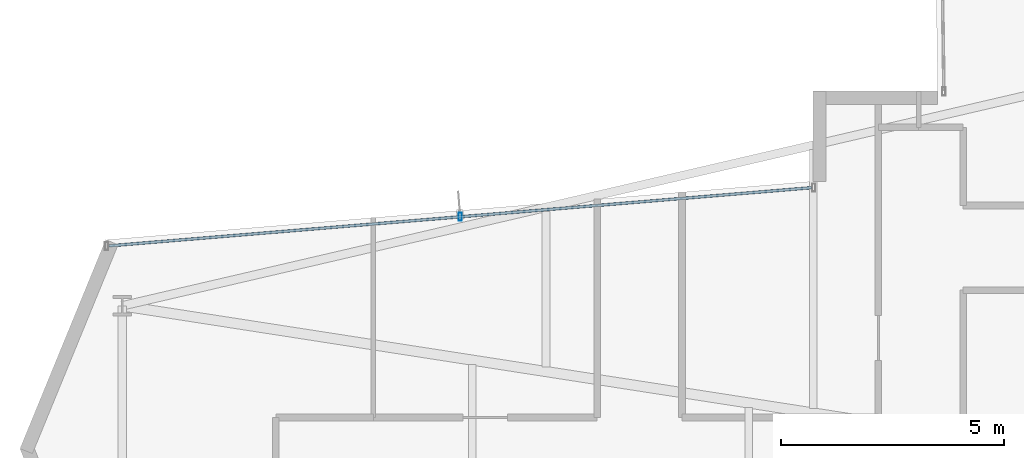
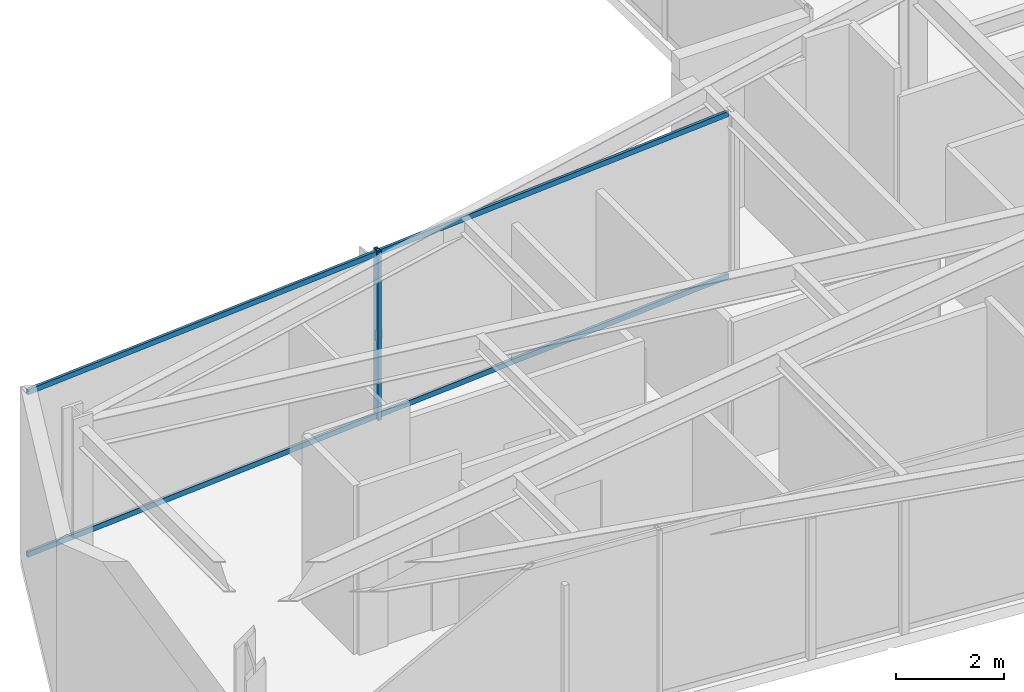
# One storey, part 8 of 25: 3 members, 1 element without a shape of its own.
"""IFC4 building model written with IfcOpenShell, lengths in metres."""

from ifc_helpers import new_model, si_unit, direction, frame, origin, origin_2d, place, context, subcontext, project, spatial, hollow_rectangle, extrude, material, layer, layer_set, material_profile, profile_set, type_object, element, aggregate, save


model = new_model("IFC4")

# Units and contexts
model_context = context("Model", 3, precision=1e-05, world=origin(), true_north=direction((0.0, 1.0)))
body_context = subcontext(model_context, "Body", "Model", "MODEL_VIEW")
ifc_project = project(units=[si_unit("LENGTHUNIT", "METRE"), si_unit("AREAUNIT", "SQUARE_METRE"), si_unit("VOLUMEUNIT", "CUBIC_METRE"), si_unit("PLANEANGLEUNIT", "RADIAN"), si_unit("MASSUNIT", "GRAM", prefix="KILO")], contexts=[model_context])

# Site, building, storey
site_placement = place(None, origin())
site = spatial("IfcSite", under=ifc_project, at=site_placement, CompositionType="ELEMENT")
building_placement = place(site_placement, origin())
building = spatial("IfcBuilding", under=site, at=building_placement, Name="Veymaron Broadcast Tower", CompositionType="ELEMENT")
storey_placement = place(building_placement, frame((0.0, 0.0, 116.85009765625)))
storey = spatial("IfcBuildingStorey", under=building, at=storey_placement, Name="L26", CompositionType="ELEMENT", Elevation=116.85009765625)

# Curtain wall, members
ifc_material_1 = material(Name="Anodised aluminium AA 6063-T6 and laminated low-E dark glass", Category="aluminium")
ifc_layer = layer(ifc_material_1, 0.179931640625)
ifc_layer_set = layer_set([ifc_layer], Name="Anodised aluminium AA 6063-T6 and laminated low-E dark glass")
curtain_wall_type = type_object("IfcCurtainWallType", Name="CW-SYS-03", PredefinedType="NOTDEFINED", material=ifc_layer_set)
curtain_wall_placement = place(storey_placement, origin())
curtain_wall = element("IfcCurtainWall", 1, at=curtain_wall_placement, inside=storey, type_object=curtain_wall_type, Name="L26 dark-glass curtain wall CW-L26-E11-1", PredefinedType="NOTDEFINED")
ifc_material_2 = material(Name="Anodised aluminium AA 6063-T6", Category="aluminium")
ifc_material_profile_1 = material_profile(ifc_material_2, hollow_rectangle(XDim=0.074951171875, YDim=0.179931640625, WallThickness=0.0048828125, at=origin_2d()), Name="AL180X75X5")
ifc_profile_set_1 = profile_set([ifc_material_profile_1], Name="Anodised aluminium AA 6063-T6")
member_type_1 = type_object("IfcMemberType", Name="CW-MUL-02", PredefinedType="MULLION", material=ifc_profile_set_1)
member_1_placement = place(storey_placement, frame((18.131591796875, 29.195068359375, 0.0), z_axis=(0.0, 0.0, 1.0), x_axis=(1.0, 0.0, 0.0)))
member_1 = element("IfcMember", 2, at=member_1_placement, type_object=member_type_1, Name="CW-L26-E11-1 mullion 1", PredefinedType="MULLION", context=body_context, shape_type="SweptSolid", body=[
    extrude(hollow_rectangle(XDim=0.074951171875, YDim=0.179931640625, WallThickness=0.0048828125, at=origin_2d()), origin(), (0.0, 0.0, 1.0), 3.809814453125),
])
ifc_material_profile_2 = material_profile(ifc_material_2, hollow_rectangle(XDim=0.06005859375, YDim=0.1201171875, WallThickness=0.00390625, at=origin_2d()), Name="AL120X60X4")
ifc_profile_set_2 = profile_set([ifc_material_profile_2], Name="Anodised aluminium AA 6063-T6")
member_type_2 = type_object("IfcMemberType", Name="CW-TRN-02", PredefinedType="USERDEFINED", material=ifc_profile_set_2)
member_2_placement = place(storey_placement, frame((26.001708984375, 29.8466796875, 0.06982421875), z_axis=(-0.996588692575, -0.082528648555, 0.0), x_axis=(0.082528648555, -0.996588692575, 0.0)))
member_2 = element("IfcMember", 3, at=member_2_placement, type_object=member_type_2, Name="CW-L26-E11-1 transom B", ObjectType="TRANSOM", PredefinedType="USERDEFINED", context=body_context, shape_type="SweptSolid", body=[
    extrude(hollow_rectangle(XDim=0.06005859375, YDim=0.1201171875, WallThickness=0.00390625, at=origin_2d()), origin(), (0.0, 0.0, 1.0), 15.794189453125),
])
member_3_placement = place(storey_placement, frame((26.001708984375, 29.8466796875, 3.739990234375), z_axis=(-0.996588692575, -0.082528648555, 0.0), x_axis=(0.082528648555, -0.996588692575, 0.0)))
member_3 = element("IfcMember", 4, at=member_3_placement, type_object=member_type_2, Name="CW-L26-E11-1 transom T", ObjectType="TRANSOM", PredefinedType="USERDEFINED", context=body_context, shape_type="SweptSolid", body=[
    extrude(hollow_rectangle(XDim=0.06005859375, YDim=0.1201171875, WallThickness=0.00390625, at=origin_2d()), origin(), (0.0, 0.0, 1.0), 15.794189453125),
])
aggregate(curtain_wall, [member_1, member_2, member_3])

save(model, "model.ifc")
